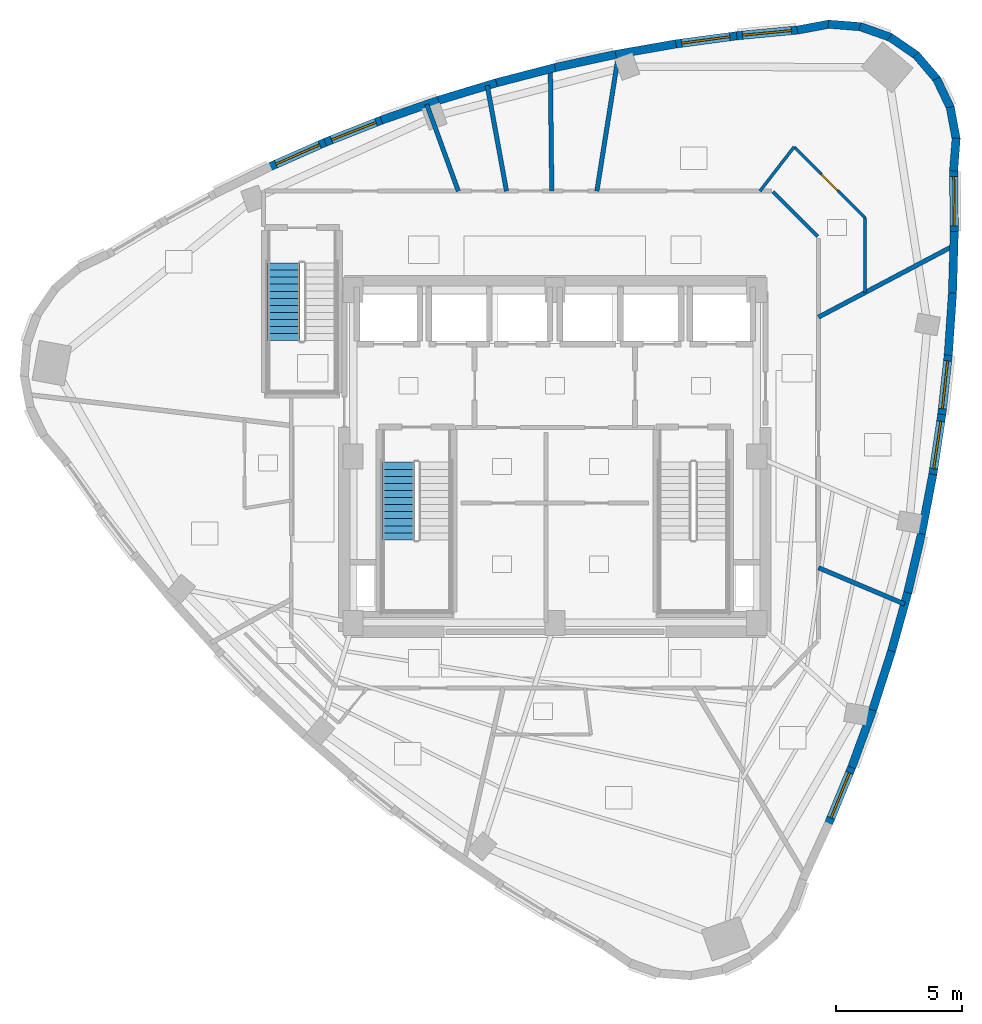
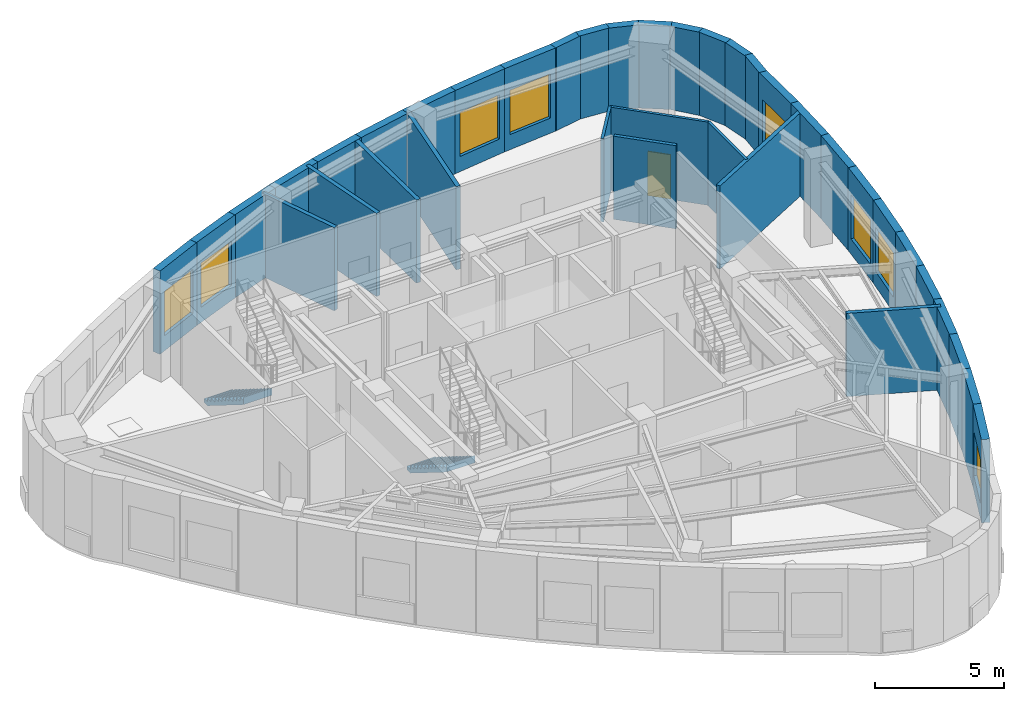
# One storey, part 5 of 9: 38 walls, 8 windows, 2 stair flights, 1 door, 9 openings, 2 elements without a shape of their own.
"""IFC4 building model written with IfcOpenShell, lengths in metres."""

from ifc_helpers import new_model, si_unit, direction, frame, frame_2d, origin, place, context, subcontext, project, spatial, polyline, rectangle, outline, extrude, material, layer, layer_set, type_object, element, fill, aggregate, save


model = new_model("IFC4")

# Units and contexts
model_context = context("Model", 3, precision=1e-05, world=origin(), true_north=direction((0.0, 1.0)))
body_context = subcontext(model_context, "Body", "Model", "MODEL_VIEW")
ifc_project = project(units=[si_unit("LENGTHUNIT", "METRE"), si_unit("AREAUNIT", "SQUARE_METRE"), si_unit("VOLUMEUNIT", "CUBIC_METRE"), si_unit("PLANEANGLEUNIT", "RADIAN"), si_unit("MASSUNIT", "GRAM", prefix="KILO")], contexts=[model_context])

# Site, building, storey
site_placement = place(None, origin())
site = spatial("IfcSite", under=ifc_project, at=site_placement, CompositionType="ELEMENT")
building_placement = place(site_placement, origin())
building = spatial("IfcBuilding", under=site, at=building_placement, Name="Ndelora Gate Hotel", CompositionType="ELEMENT")
storey_placement = place(building_placement, frame((0.0, 0.0, 268.60009765625)))
storey = spatial("IfcBuildingStorey", under=building, at=storey_placement, Name="L67", CompositionType="ELEMENT", Elevation=268.60009765625)

# Walls
ifc_material_1 = material(Name="Acoustic Double-Stud Gypsum Assembly", Category="gypsum")
ifc_layer_1 = layer(ifc_material_1, 0.179931640625)
ifc_layer_set_1 = layer_set([ifc_layer_1], Name="Acoustic Double-Stud Gypsum Assembly")
wall_type_1 = type_object("IfcWallType", Name="WL-ACOUST-180", PredefinedType="PARTITIONING", material=ifc_layer_set_1)
wall_1_placement = place(storey_placement, frame((-3.8291015625, 10.52001953125, 0.0), z_axis=(0.0, 0.0, 1.0), x_axis=(-0.342010906499, 0.939695982664, 0.0)))
element("IfcWall", 1, at=wall_1_placement, inside=storey, type_object=wall_type_1, Name="L67 Interior Wall IW-3", PredefinedType="PARTITIONING", context=body_context, shape_type="SweptSolid", body=[
    extrude(rectangle(XDim=3.6591796875, YDim=0.179931640625, at=frame_2d((1.82958984375, 0.0))), origin(), (0.0, 0.0, 1.0), 3.949951171875),
])
wall_2_placement = place(storey_placement, frame((10.449951171875, -4.4111328125, 0.0), z_axis=(0.0, 0.0, 1.0), x_axis=(0.921276821657, -0.388907466986, 0.0)))
element("IfcWall", 2, at=wall_2_placement, inside=storey, type_object=wall_type_1, Name="L67 Interior Wall IW-3", PredefinedType="PARTITIONING", context=body_context, shape_type="SweptSolid", body=[
    extrude(rectangle(XDim=3.708251953125, YDim=0.179931640625, at=frame_2d((1.85400390625, 0.0))), origin(), (0.0, 0.0, 1.0), 3.949951171875),
])
wall_3_placement = place(storey_placement, frame((10.449951171875, 5.52197265625, 0.0), z_axis=(0.0, 0.0, 1.0), x_axis=(0.884168007164, 0.467169064802, 0.0)))
element("IfcWall", 3, at=wall_3_placement, inside=storey, type_object=wall_type_1, Name="L67 Interior Wall IW-3", PredefinedType="PARTITIONING", context=body_context, shape_type="SweptSolid", body=[
    extrude(rectangle(XDim=6.072998046875, YDim=0.179931640625, at=frame_2d((3.03662109375, 0.0))), origin(), (0.0, 0.0, 1.0), 3.949951171875),
])
wall_4_placement = place(storey_placement, frame((1.664794921875, 10.52001953125, 0.0), z_axis=(0.0, 0.0, 1.0), x_axis=(0.156335854485, 0.987703953927, 0.0)))
element("IfcWall", 4, at=wall_4_placement, inside=storey, type_object=wall_type_1, Name="L67 Interior Wall IW-3", PredefinedType="PARTITIONING", context=body_context, shape_type="SweptSolid", body=[
    extrude(rectangle(XDim=5.5078125, YDim=0.179931640625, at=frame_2d((2.75390625, 0.0))), origin(), (0.0, 0.0, 1.0), 3.949951171875),
])
wall_5_placement = place(storey_placement, frame((-0.123291015625, 10.52001953125, 0.0), z_axis=(0.0, 0.0, 1.0), x_axis=(-0.011724824318, 0.999931261885, 0.0)))
element("IfcWall", 5, at=wall_5_placement, inside=storey, type_object=wall_type_1, Name="L67 Interior Wall IW-3", PredefinedType="PARTITIONING", context=body_context, shape_type="SweptSolid", body=[
    extrude(rectangle(XDim=4.8515625, YDim=0.179931640625, at=frame_2d((2.42578125, 0.0))), origin(), (0.0, 0.0, 1.0), 3.949951171875),
])
wall_6_placement = place(storey_placement, frame((-1.918701171875, 10.52001953125, 0.0), z_axis=(0.0, 0.0, 1.0), x_axis=(-0.179349915037, 0.983785346494, 0.0)))
element("IfcWall", 6, at=wall_6_placement, inside=storey, type_object=wall_type_1, Name="L67 Interior Wall IW-3", PredefinedType="PARTITIONING", context=body_context, shape_type="SweptSolid", body=[
    extrude(rectangle(XDim=4.25537109375, YDim=0.179931640625, at=frame_2d((2.127685546875, 0.0))), origin(), (0.0, 0.0, 1.0), 3.949951171875),
])

# Wall, opening, window
ifc_material_2 = material(Name="Clay Brick Masonry", Category="masonry")
ifc_layer_2 = layer(ifc_material_2, 0.330078125)
ifc_layer_set_2 = layer_set([ifc_layer_2], Name="Clay Brick Masonry")
wall_type_2 = type_object("IfcWallType", Name="WL-BRICK-330", PredefinedType="SOLIDWALL", material=ifc_layer_set_2)
wall_7_placement = place(storey_placement, frame((11.785888671875, -12.28515625, 0.0), z_axis=(0.0, 0.0, 1.0), x_axis=(-0.380073332614, -0.92495635672, 0.0)))
wall_7 = element("IfcWall", 7, at=wall_7_placement, inside=storey, type_object=wall_type_2, Name="L67 Tower Brick Pier-and-Spandrel Wall TWR-30", PredefinedType="SOLIDWALL", context=body_context, shape_type="SweptSolid", body=[
    extrude(rectangle(XDim=2.4873046875, YDim=0.330078125, at=frame_2d((1.24365234375, 0.0))), origin(), (0.0, 0.0, 1.0), 3.949951171875),
])
opening_1_placement = place(wall_7_placement, frame((0.278564453125, 0.0, 0.719970703125)))
opening_1 = element("IfcOpeningElement", 8, at=opening_1_placement, cuts=wall_7, Name="Opening W08", PredefinedType="OPENING", context=body_context, shape_type="SweptSolid", body=[
    extrude(rectangle(XDim=1.929931640625, YDim=2.10009765625, at=frame_2d((0.96484375, 1.050048828125))), frame((0.0, 0.175048828125, 0.0), z_axis=(0.0, -1.0, 0.0), x_axis=(1.0, 0.0, 0.0)), (0.0, 0.0, 1.0), 0.35009765625),
])
ifc_material_3 = material(Name="Insulated Low-E Double Glazing in Bronze Aluminium Frame", Category="aluminium")
window_type = type_object("IfcWindowType", Name="WN-PENT-2250", PartitioningType="SINGLE_PANEL", PredefinedType="WINDOW", material=ifc_material_3)
window_1_placement = place(opening_1_placement, origin())
window_1 = element("IfcWindow", 9, at=window_1_placement, inside=storey, type_object=window_type, Name="L67 Deep-Set Brick-Pier Window W08", OverallHeight=2.10009765625, OverallWidth=1.929931640625, PartitioningType="SINGLE_PANEL", PredefinedType="WINDOW", context=body_context, shape_type="SweptSolid", body=[
    extrude(rectangle(XDim=1.929931640625, YDim=2.10009765625, at=frame_2d((0.96484375, 1.050048828125))), frame((0.0, 0.030029296875, 0.0), z_axis=(0.0, -1.0, 0.0), x_axis=(1.0, 0.0, 0.0)), (0.0, 0.0, 1.0), 0.06005859375),
])
fill(opening_1, window_1)

# Walls
wall_8_placement = place(storey_placement, frame((12.616455078125, -10.010009765625, 0.0), z_axis=(0.0, 0.0, 1.0), x_axis=(-0.343296836241, -0.939226959913, 0.0)))
element("IfcWall", 10, at=wall_8_placement, inside=storey, type_object=wall_type_2, Name="L67 Tower Brick Pier-and-Spandrel Wall TWR-31", PredefinedType="SOLIDWALL", context=body_context, shape_type="SweptSolid", body=[
    extrude(rectangle(XDim=2.471923828125, YDim=0.330078125, at=frame_2d((1.23583984375, 0.0))), origin(), (0.0, 0.0, 1.0), 3.949951171875),
])
wall_9_placement = place(storey_placement, frame((13.3515625, -7.715087890625, 0.0), z_axis=(0.0, 0.0, 1.0), x_axis=(-0.305488679376, -0.952195708231, 0.0)))
element("IfcWall", 11, at=wall_9_placement, inside=storey, type_object=wall_type_2, Name="L67 Tower Brick Pier-and-Spandrel Wall TWR-32", PredefinedType="SOLIDWALL", context=body_context, shape_type="SweptSolid", body=[
    extrude(rectangle(XDim=2.4599609375, YDim=0.330078125, at=frame_2d((1.22998046875, 0.0))), origin(), (0.0, 0.0, 1.0), 3.949951171875),
])
wall_10_placement = place(storey_placement, frame((13.991943359375, -5.39990234375, 0.0), z_axis=(0.0, 0.0, 1.0), x_axis=(-0.266940258734, -0.963713078809, 0.0)))
element("IfcWall", 12, at=wall_10_placement, inside=storey, type_object=wall_type_2, Name="L67 Tower Brick Pier-and-Spandrel Wall TWR-33", PredefinedType="SOLIDWALL", context=body_context, shape_type="SweptSolid", body=[
    extrude(rectangle(XDim=2.451904296875, YDim=0.330078125, at=frame_2d((1.22607421875, 0.0))), origin(), (0.0, 0.0, 1.0), 3.949951171875),
])
wall_11_placement = place(storey_placement, frame((14.536865234375, -3.064453125, 0.0), z_axis=(0.0, 0.0, 1.0), x_axis=(-0.227677260712, -0.97373665072, 0.0)))
element("IfcWall", 13, at=wall_11_placement, inside=storey, type_object=wall_type_2, Name="L67 Tower Brick Pier-and-Spandrel Wall TWR-34", PredefinedType="SOLIDWALL", context=body_context, shape_type="SweptSolid", body=[
    extrude(rectangle(XDim=2.447998046875, YDim=0.330078125, at=frame_2d((1.22412109375, 0.0))), origin(), (0.0, 0.0, 1.0), 3.949951171875),
])
wall_12_placement = place(storey_placement, frame((14.98681640625, -0.708740234375, 0.0), z_axis=(0.0, 0.0, 1.0), x_axis=(-0.187978120827, -0.98217321593, 0.0)))
element("IfcWall", 14, at=wall_12_placement, inside=storey, type_object=wall_type_2, Name="L67 Tower Brick Pier-and-Spandrel Wall TWR-35", PredefinedType="SOLIDWALL", context=body_context, shape_type="SweptSolid", body=[
    extrude(rectangle(XDim=2.4482421875, YDim=0.330078125, at=frame_2d((1.22412109375, 0.0))), origin(), (0.0, 0.0, 1.0), 3.949951171875),
])

# Wall, opening, window
wall_13_placement = place(storey_placement, frame((15.341796875, 1.6669921875, 0.0), z_axis=(0.0, 0.0, 1.0), x_axis=(-0.148150573485, -0.988964816147, 0.0)))
wall_13 = element("IfcWall", 15, at=wall_13_placement, inside=storey, type_object=wall_type_2, Name="L67 Tower Brick Pier-and-Spandrel Wall TWR-36", PredefinedType="SOLIDWALL", context=body_context, shape_type="SweptSolid", body=[
    extrude(rectangle(XDim=2.4521484375, YDim=0.330078125, at=frame_2d((1.22607421875, 0.0))), origin(), (0.0, 0.0, 1.0), 3.949951171875),
])
opening_2_placement = place(wall_13_placement, frame((0.281005859375, 0.0, 0.719970703125)))
opening_2 = element("IfcOpeningElement", 16, at=opening_2_placement, cuts=wall_13, Name="Opening W08", PredefinedType="OPENING", context=body_context, shape_type="SweptSolid", body=[
    extrude(rectangle(XDim=1.889892578125, YDim=2.10009765625, at=frame_2d((0.94482421875, 1.050048828125))), frame((0.0, 0.175048828125, 0.0), z_axis=(0.0, -1.0, 0.0), x_axis=(1.0, 0.0, 0.0)), (0.0, 0.0, 1.0), 0.35009765625),
])
window_2_placement = place(opening_2_placement, origin())
window_2 = element("IfcWindow", 17, at=window_2_placement, inside=storey, type_object=window_type, Name="L67 Deep-Set Brick-Pier Window W08", OverallHeight=2.10009765625, OverallWidth=1.889892578125, PartitioningType="SINGLE_PANEL", PredefinedType="WINDOW", context=body_context, shape_type="SweptSolid", body=[
    extrude(rectangle(XDim=1.889892578125, YDim=2.10009765625, at=frame_2d((0.94482421875, 1.050048828125))), frame((0.0, 0.030029296875, 0.0), z_axis=(0.0, -1.0, 0.0), x_axis=(1.0, 0.0, 0.0)), (0.0, 0.0, 1.0), 0.06005859375),
])
fill(opening_2, window_2)

wall_14_placement = place(storey_placement, frame((15.6015625, 4.06298828125, 0.0), z_axis=(0.0, 0.0, 1.0), x_axis=(-0.108274537778, -0.994121031097, 0.0)))
wall_14 = element("IfcWall", 18, at=wall_14_placement, inside=storey, type_object=wall_type_2, Name="L67 Tower Brick Pier-and-Spandrel Wall TWR-37", PredefinedType="SOLIDWALL", context=body_context, shape_type="SweptSolid", body=[
    extrude(rectangle(XDim=2.4599609375, YDim=0.330078125, at=frame_2d((1.22998046875, 0.0))), origin(), (0.0, 0.0, 1.0), 3.949951171875),
])
opening_3_placement = place(wall_14_placement, frame((0.280029296875, 0.0, 0.719970703125)))
opening_3 = element("IfcOpeningElement", 19, at=opening_3_placement, cuts=wall_14, Name="Opening W08", PredefinedType="OPENING", context=body_context, shape_type="SweptSolid", body=[
    extrude(rectangle(XDim=1.89990234375, YDim=2.10009765625, at=frame_2d((0.949951171875, 1.050048828125))), frame((0.0, 0.175048828125, 0.0), z_axis=(0.0, -1.0, 0.0), x_axis=(1.0, 0.0, 0.0)), (0.0, 0.0, 1.0), 0.35009765625),
])
window_3_placement = place(opening_3_placement, origin())
window_3 = element("IfcWindow", 20, at=window_3_placement, inside=storey, type_object=window_type, Name="L67 Deep-Set Brick-Pier Window W08", OverallHeight=2.10009765625, OverallWidth=1.89990234375, PartitioningType="SINGLE_PANEL", PredefinedType="WINDOW", context=body_context, shape_type="SweptSolid", body=[
    extrude(rectangle(XDim=1.89990234375, YDim=2.10009765625, at=frame_2d((0.949951171875, 1.050048828125))), frame((0.0, 0.030029296875, 0.0), z_axis=(0.0, -1.0, 0.0), x_axis=(1.0, 0.0, 0.0)), (0.0, 0.0, 1.0), 0.06005859375),
])
fill(opening_3, window_3)

# Walls
wall_15_placement = place(storey_placement, frame((15.76611328125, 6.47900390625, 0.0), z_axis=(0.0, 0.0, 1.0), x_axis=(-0.068354601344, -0.997661088985, 0.0)))
element("IfcWall", 21, at=wall_15_placement, inside=storey, type_object=wall_type_2, Name="L67 Tower Brick Pier-and-Spandrel Wall TWR-38", PredefinedType="SOLIDWALL", context=body_context, shape_type="SweptSolid", body=[
    extrude(rectangle(XDim=2.4716796875, YDim=0.330078125, at=frame_2d((1.23583984375, 0.0))), origin(), (0.0, 0.0, 1.0), 3.949951171875),
])
wall_16_placement = place(storey_placement, frame((15.835693359375, 8.91552734375, 0.0), z_axis=(0.0, 0.0, 1.0), x_axis=(-0.028856791584, -0.999583556077, 0.0)))
element("IfcWall", 22, at=wall_16_placement, inside=storey, type_object=wall_type_2, Name="L67 Tower Brick Pier-and-Spandrel Wall TWR-39", PredefinedType="SOLIDWALL", context=body_context, shape_type="SweptSolid", body=[
    extrude(rectangle(XDim=2.4873046875, YDim=0.330078125, at=frame_2d((1.24365234375, 0.0))), origin(), (0.0, 0.0, 1.0), 3.949951171875),
])

# Wall, opening, window
wall_17_placement = place(storey_placement, frame((15.810302734375, 11.371826171875, 0.0), z_axis=(0.0, 0.0, 1.0), x_axis=(0.009935219729, -0.999950644486, 0.0)))
wall_17 = element("IfcWall", 23, at=wall_17_placement, inside=storey, type_object=wall_type_2, Name="L67 Tower Brick Pier-and-Spandrel Wall TWR-40", PredefinedType="SOLIDWALL", context=body_context, shape_type="SweptSolid", body=[
    extrude(rectangle(XDim=2.506591796875, YDim=0.330078125, at=frame_2d((1.25341796875, 0.0))), origin(), (0.0, 0.0, 1.0), 3.949951171875),
])
opening_4_placement = place(wall_17_placement, frame((0.2783203125, 0.0, 0.719970703125)))
opening_4 = element("IfcOpeningElement", 24, at=opening_4_placement, cuts=wall_17, Name="Opening W08", PredefinedType="OPENING", context=body_context, shape_type="SweptSolid", body=[
    extrude(rectangle(XDim=1.949951171875, YDim=2.10009765625, at=frame_2d((0.97509765625, 1.050048828125))), frame((0.0, 0.175048828125, 0.0), z_axis=(0.0, -1.0, 0.0), x_axis=(1.0, 0.0, 0.0)), (0.0, 0.0, 1.0), 0.35009765625),
])
window_4_placement = place(opening_4_placement, origin())
window_4 = element("IfcWindow", 25, at=window_4_placement, inside=storey, type_object=window_type, Name="L67 Deep-Set Brick-Pier Window W08", OverallHeight=2.10009765625, OverallWidth=1.949951171875, PartitioningType="SINGLE_PANEL", PredefinedType="WINDOW", context=body_context, shape_type="SweptSolid", body=[
    extrude(rectangle(XDim=1.949951171875, YDim=2.10009765625, at=frame_2d((0.97509765625, 1.050048828125))), frame((0.0, 0.030029296875, 0.0), z_axis=(0.0, -1.0, 0.0), x_axis=(1.0, 0.0, 0.0)), (0.0, 0.0, 1.0), 0.06005859375),
])
fill(opening_4, window_4)

# Walls
for number, where, z_axis, x_axis, name in (
    (26, (15.910888671875, 12.62109375, 0.0), (0.0, 0.0, 1.0), (-0.078501590144, -0.996913988439, 0.0), "L67 Tower Brick Pier-and-Spandrel Wall TWR-41"),
    (27, (15.67578125, 13.852783203125, 0.0), (0.0, 0.0, 1.0), (0.182297236005, -0.983243468193, 0.0), "L67 Tower Brick Pier-and-Spandrel Wall TWR-42"),
    (28, (15.130126953125, 14.981689453125, 0.0), (0.0, 0.0, 1.0), (0.430726118159, -0.902482692984, 0.0), "L67 Tower Brick Pier-and-Spandrel Wall TWR-43"),
    (29, (14.31103515625, 15.930908203125, 0.0), (0.0, 0.0, 1.0), (0.649463279453, -0.760392956728, 0.0), "L67 Tower Brick Pier-and-Spandrel Wall TWR-44"),
):
    element("IfcWall", number, at=place(storey_placement, frame(where, z_axis=z_axis, x_axis=x_axis)), inside=storey, type_object=wall_type_2, Name=name, PredefinedType="SOLIDWALL", context=body_context, shape_type="SweptSolid", body=[
        extrude(rectangle(XDim=1.302978515625, YDim=0.330078125, at=frame_2d((0.6513671875, 0.0))), origin(), (0.0, 0.0, 1.0), 3.949951171875),
    ])
wall_18_placement = place(storey_placement, frame((13.27392578125, 16.635986328125, 0.0), z_axis=(0.0, 0.0, 1.0), x_axis=(0.824069252703, -0.566489070283, 0.0)))
element("IfcWall", 30, at=wall_18_placement, inside=storey, type_object=wall_type_2, Name="L67 Tower Brick Pier-and-Spandrel Wall TWR-45", PredefinedType="SOLIDWALL", context=body_context, shape_type="SweptSolid", body=[
    extrude(rectangle(XDim=1.30322265625, YDim=0.330078125, at=frame_2d((0.651611328125, 0.0))), origin(), (0.0, 0.0, 1.0), 3.949951171875),
])
wall_19_placement = place(storey_placement, frame((12.08984375, 17.04833984375, 0.0), z_axis=(0.0, 0.0, 1.0), x_axis=(0.942616169371, -0.333878356951, 0.0)))
element("IfcWall", 31, at=wall_19_placement, inside=storey, type_object=wall_type_2, Name="L67 Tower Brick Pier-and-Spandrel Wall TWR-46", PredefinedType="SOLIDWALL", context=body_context, shape_type="SweptSolid", body=[
    extrude(rectangle(XDim=1.302978515625, YDim=0.330078125, at=frame_2d((0.6513671875, 0.0))), origin(), (0.0, 0.0, 1.0), 3.949951171875),
])
wall_20_placement = place(storey_placement, frame((10.83935546875, 17.140380859375, 0.0), z_axis=(0.0, 0.0, 1.0), x_axis=(0.996912833542, -0.078516255123, 0.0)))
element("IfcWall", 32, at=wall_20_placement, inside=storey, type_object=wall_type_2, Name="L67 Tower Brick Pier-and-Spandrel Wall TWR-47", PredefinedType="SOLIDWALL", context=body_context, shape_type="SweptSolid", body=[
    extrude(rectangle(XDim=1.302734375, YDim=0.330078125, at=frame_2d((0.6513671875, 0.0))), origin(), (0.0, 0.0, 1.0), 3.949951171875),
])
wall_21_placement = place(storey_placement, frame((9.607421875, 16.905517578125, 0.0), z_axis=(0.0, 0.0, 1.0), x_axis=(0.983283247188, 0.182082552156, 0.0)))
element("IfcWall", 33, at=wall_21_placement, inside=storey, type_object=wall_type_2, Name="L67 Tower Brick Pier-and-Spandrel Wall TWR-48", PredefinedType="SOLIDWALL", context=body_context, shape_type="SweptSolid", body=[
    extrude(rectangle(XDim=1.30322265625, YDim=0.330078125, at=frame_2d((0.651611328125, 0.0))), origin(), (0.0, 0.0, 1.0), 3.949951171875),
])

# Wall, opening, window
wall_22_placement = place(storey_placement, frame((7.16162109375, 16.67529296875, 0.0), z_axis=(0.0, 0.0, 1.0), x_axis=(0.995517770217, 0.094574675167, 0.0)))
wall_22 = element("IfcWall", 34, at=wall_22_placement, inside=storey, type_object=wall_type_2, Name="L67 Tower Brick Pier-and-Spandrel Wall TWR-49", PredefinedType="SOLIDWALL", context=body_context, shape_type="SweptSolid", body=[
    extrude(rectangle(XDim=2.506591796875, YDim=0.330078125, at=frame_2d((1.25341796875, 0.0))), origin(), (0.0, 0.0, 1.0), 3.949951171875),
])
opening_5_placement = place(wall_22_placement, frame((0.2783203125, 0.0, 0.719970703125)))
opening_5 = element("IfcOpeningElement", 35, at=opening_5_placement, cuts=wall_22, Name="Opening W08", PredefinedType="OPENING", context=body_context, shape_type="SweptSolid", body=[
    extrude(rectangle(XDim=1.949951171875, YDim=2.10009765625, at=frame_2d((0.97509765625, 1.050048828125))), frame((0.0, 0.175048828125, 0.0), z_axis=(0.0, -1.0, 0.0), x_axis=(1.0, 0.0, 0.0)), (0.0, 0.0, 1.0), 0.35009765625),
])
window_5_placement = place(opening_5_placement, origin())
window_5 = element("IfcWindow", 36, at=window_5_placement, inside=storey, type_object=window_type, Name="L67 Deep-Set Brick-Pier Window W08", OverallHeight=2.10009765625, OverallWidth=1.949951171875, PartitioningType="SINGLE_PANEL", PredefinedType="WINDOW", context=body_context, shape_type="SweptSolid", body=[
    extrude(rectangle(XDim=1.949951171875, YDim=2.10009765625, at=frame_2d((0.97509765625, 1.050048828125))), frame((0.0, 0.030029296875, 0.0), z_axis=(0.0, -1.0, 0.0), x_axis=(1.0, 0.0, 0.0)), (0.0, 0.0, 1.0), 0.06005859375),
])
fill(opening_5, window_5)

wall_23_placement = place(storey_placement, frame((4.74609375, 16.349609375, 0.0), z_axis=(0.0, 0.0, 1.0), x_axis=(0.991089340553, 0.1331987952, 0.0)))
wall_23 = element("IfcWall", 37, at=wall_23_placement, inside=storey, type_object=wall_type_2, Name="L67 Tower Brick Pier-and-Spandrel Wall TWR-50", PredefinedType="SOLIDWALL", context=body_context, shape_type="SweptSolid", body=[
    extrude(rectangle(XDim=2.4873046875, YDim=0.330078125, at=frame_2d((1.24365234375, 0.0))), origin(), (0.0, 0.0, 1.0), 3.949951171875),
])
opening_6_placement = place(wall_23_placement, frame((0.278564453125, 0.0, 0.719970703125)))
opening_6 = element("IfcOpeningElement", 38, at=opening_6_placement, cuts=wall_23, Name="Opening W08", PredefinedType="OPENING", context=body_context, shape_type="SweptSolid", body=[
    extrude(rectangle(XDim=1.929931640625, YDim=2.10009765625, at=frame_2d((0.96484375, 1.050048828125))), frame((0.0, 0.175048828125, 0.0), z_axis=(0.0, -1.0, 0.0), x_axis=(1.0, 0.0, 0.0)), (0.0, 0.0, 1.0), 0.35009765625),
])
window_6_placement = place(opening_6_placement, origin())
window_6 = element("IfcWindow", 39, at=window_6_placement, inside=storey, type_object=window_type, Name="L67 Deep-Set Brick-Pier Window W08", OverallHeight=2.10009765625, OverallWidth=1.929931640625, PartitioningType="SINGLE_PANEL", PredefinedType="WINDOW", context=body_context, shape_type="SweptSolid", body=[
    extrude(rectangle(XDim=1.929931640625, YDim=2.10009765625, at=frame_2d((0.96484375, 1.050048828125))), frame((0.0, 0.030029296875, 0.0), z_axis=(0.0, -1.0, 0.0), x_axis=(1.0, 0.0, 0.0)), (0.0, 0.0, 1.0), 0.06005859375),
])
fill(opening_6, window_6)

# Walls
wall_24_placement = place(storey_placement, frame((2.36083984375, 15.93115234375, 0.0), z_axis=(0.0, 0.0, 1.0), x_axis=(0.985035078874, 0.172353977001, 0.0)))
element("IfcWall", 40, at=wall_24_placement, inside=storey, type_object=wall_type_2, Name="L67 Tower Brick Pier-and-Spandrel Wall TWR-51", PredefinedType="SOLIDWALL", context=body_context, shape_type="SweptSolid", body=[
    extrude(rectangle(XDim=2.471923828125, YDim=0.330078125, at=frame_2d((1.23583984375, 0.0))), origin(), (0.0, 0.0, 1.0), 3.949951171875),
])
wall_25_placement = place(storey_placement, frame((0.005615234375, 15.42041015625, 0.0), z_axis=(0.0, 0.0, 1.0), x_axis=(0.977358726748, 0.211589033857, 0.0)))
element("IfcWall", 41, at=wall_25_placement, inside=storey, type_object=wall_type_2, Name="L67 Tower Brick Pier-and-Spandrel Wall TWR-52", PredefinedType="SOLIDWALL", context=body_context, shape_type="SweptSolid", body=[
    extrude(rectangle(XDim=2.4599609375, YDim=0.330078125, at=frame_2d((1.22998046875, 0.0))), origin(), (0.0, 0.0, 1.0), 3.949951171875),
])
wall_26_placement = place(storey_placement, frame((-2.319580078125, 14.817138671875, 0.0), z_axis=(0.0, 0.0, 1.0), x_axis=(0.968064050208, 0.250703000969, 0.0)))
element("IfcWall", 42, at=wall_26_placement, inside=storey, type_object=wall_type_2, Name="L67 Tower Brick Pier-and-Spandrel Wall TWR-53", PredefinedType="SOLIDWALL", context=body_context, shape_type="SweptSolid", body=[
    extrude(rectangle(XDim=2.4521484375, YDim=0.330078125, at=frame_2d((1.22607421875, 0.0))), origin(), (0.0, 0.0, 1.0), 3.949951171875),
])
for number, where, z_axis, x_axis, name in (
    (43, (-4.614501953125, 14.12158203125, 0.0), (0.0, 0.0, 1.0), (0.957140082528, 0.289625382897, 0.0), "L67 Tower Brick Pier-and-Spandrel Wall TWR-54"),
    (44, (-6.879638671875, 13.33349609375, 0.0), (0.0, 0.0, 1.0), (0.944608408798, 0.328199564332, 0.0), "L67 Tower Brick Pier-and-Spandrel Wall TWR-55"),
):
    element("IfcWall", number, at=place(storey_placement, frame(where, z_axis=z_axis, x_axis=x_axis)), inside=storey, type_object=wall_type_2, Name=name, PredefinedType="SOLIDWALL", context=body_context, shape_type="SweptSolid", body=[
        extrude(rectangle(XDim=2.447998046875, YDim=0.330078125, at=frame_2d((1.22412109375, 0.0))), origin(), (0.0, 0.0, 1.0), 3.949951171875),
    ])

# Wall, opening, window
wall_27_placement = place(storey_placement, frame((-9.114501953125, 12.452880859375, 0.0), z_axis=(0.0, 0.0, 1.0), x_axis=(0.930535919143, 0.366200632421, 0.0)))
wall_27 = element("IfcWall", 45, at=wall_27_placement, inside=storey, type_object=wall_type_2, Name="L67 Tower Brick Pier-and-Spandrel Wall TWR-56", PredefinedType="SOLIDWALL", context=body_context, shape_type="SweptSolid", body=[
    extrude(rectangle(XDim=2.4521484375, YDim=0.330078125, at=frame_2d((1.22607421875, 0.0))), origin(), (0.0, 0.0, 1.0), 3.949951171875),
])
opening_7_placement = place(wall_27_placement, frame((0.281005859375, 0.0, 0.719970703125)))
opening_7 = element("IfcOpeningElement", 46, at=opening_7_placement, cuts=wall_27, Name="Opening W08", PredefinedType="OPENING", context=body_context, shape_type="SweptSolid", body=[
    extrude(rectangle(XDim=1.889892578125, YDim=2.10009765625, at=frame_2d((0.94482421875, 1.050048828125))), frame((0.0, 0.175048828125, 0.0), z_axis=(0.0, -1.0, 0.0), x_axis=(1.0, 0.0, 0.0)), (0.0, 0.0, 1.0), 0.35009765625),
])
window_7_placement = place(opening_7_placement, origin())
window_7 = element("IfcWindow", 47, at=window_7_placement, inside=storey, type_object=window_type, Name="L67 Deep-Set Brick-Pier Window W08", OverallHeight=2.10009765625, OverallWidth=1.889892578125, PartitioningType="SINGLE_PANEL", PredefinedType="WINDOW", context=body_context, shape_type="SweptSolid", body=[
    extrude(rectangle(XDim=1.889892578125, YDim=2.10009765625, at=frame_2d((0.94482421875, 1.050048828125))), frame((0.0, 0.030029296875, 0.0), z_axis=(0.0, -1.0, 0.0), x_axis=(1.0, 0.0, 0.0)), (0.0, 0.0, 1.0), 0.06005859375),
])
fill(opening_7, window_7)

wall_28_placement = place(storey_placement, frame((-11.3193359375, 11.479736328125, 0.0), z_axis=(0.0, 0.0, 1.0), x_axis=(0.915014789788, 0.403420295064, 0.0)))
wall_28 = element("IfcWall", 48, at=wall_28_placement, inside=storey, type_object=wall_type_2, Name="L67 Tower Brick Pier-and-Spandrel Wall TWR-57", PredefinedType="SOLIDWALL", context=body_context, shape_type="SweptSolid", body=[
    extrude(rectangle(XDim=2.4599609375, YDim=0.330078125, at=frame_2d((1.22998046875, 0.0))), origin(), (0.0, 0.0, 1.0), 3.949951171875),
])
opening_8_placement = place(wall_28_placement, frame((0.280029296875, 0.0, 0.719970703125)))
opening_8 = element("IfcOpeningElement", 49, at=opening_8_placement, cuts=wall_28, Name="Opening W08", PredefinedType="OPENING", context=body_context, shape_type="SweptSolid", body=[
    extrude(rectangle(XDim=1.89990234375, YDim=2.10009765625, at=frame_2d((0.949951171875, 1.050048828125))), frame((0.0, 0.175048828125, 0.0), z_axis=(0.0, -1.0, 0.0), x_axis=(1.0, 0.0, 0.0)), (0.0, 0.0, 1.0), 0.35009765625),
])
window_8_placement = place(opening_8_placement, origin())
window_8 = element("IfcWindow", 50, at=window_8_placement, inside=storey, type_object=window_type, Name="L67 Deep-Set Brick-Pier Window W08", OverallHeight=2.10009765625, OverallWidth=1.89990234375, PartitioningType="SINGLE_PANEL", PredefinedType="WINDOW", context=body_context, shape_type="SweptSolid", body=[
    extrude(rectangle(XDim=1.89990234375, YDim=2.10009765625, at=frame_2d((0.949951171875, 1.050048828125))), frame((0.0, 0.030029296875, 0.0), z_axis=(0.0, -1.0, 0.0), x_axis=(1.0, 0.0, 0.0)), (0.0, 0.0, 1.0), 0.06005859375),
])
fill(opening_8, window_8)

# Walls
ifc_material_4 = material(Name="Fire-Rated Gypsum Stud Partition", Category="gypsum")
ifc_layer_3 = layer(ifc_material_4, 0.14990234375)
ifc_layer_set_3 = layer_set([ifc_layer_3], Name="Fire-Rated Gypsum Stud Partition")
wall_type_3 = type_object("IfcWallType", Name="WL-PART-150", PredefinedType="PARTITIONING", material=ifc_layer_set_3)
wall_29_placement = place(storey_placement, frame((8.648193359375, 10.49169921875, 0.0), z_axis=(0.0, 0.0, 1.0), x_axis=(0.707106781187, -0.707106781187, 0.0)))
element("IfcWall", 51, at=wall_29_placement, inside=storey, type_object=wall_type_3, Name="L67 Interior Wall IW-5", PredefinedType="PARTITIONING", context=body_context, shape_type="SweptSolid", body=[
    extrude(rectangle(XDim=2.508056640625, YDim=0.14990234375, at=frame_2d((1.25390625, 0.0))), origin(), (0.0, 0.0, 1.0), 3.949951171875),
])
ifc_material_5 = material(Name="Moisture-Resistant Bathroom Tile Partition", Category="gypsum")
ifc_layer_4 = layer(ifc_material_5, 0.1201171875)
ifc_layer_set_4 = layer_set([ifc_layer_4], Name="Moisture-Resistant Bathroom Tile Partition")
wall_type_4 = type_object("IfcWallType", Name="WL-WET-120", PredefinedType="PARTITIONING", material=ifc_layer_set_4)
wall_30_placement = place(storey_placement, frame((8.1298828125, 10.52001953125, 0.0), z_axis=(0.0, 0.0, 1.0), x_axis=(0.611456914518, 0.79127772728, 0.0)))
element("IfcWall", 52, at=wall_30_placement, inside=storey, type_object=wall_type_4, Name="L67 Interior Wall IW-7", PredefinedType="PARTITIONING", context=body_context, shape_type="SweptSolid", body=[
    extrude(rectangle(XDim=2.21435546875, YDim=0.1201171875, at=frame_2d((1.107177734375, 0.0))), origin(), (0.0, 0.0, 1.0), 3.949951171875),
])

# Wall, opening, door
wall_31_placement = place(storey_placement, frame((9.48388671875, 12.272216796875, 0.0), z_axis=(0.0, 0.0, 1.0), x_axis=(0.70713743234, -0.707076128705, 0.0)))
wall_31 = element("IfcWall", 53, at=wall_31_placement, inside=storey, type_object=wall_type_4, Name="L67 Interior Wall IW-7", PredefinedType="PARTITIONING", context=body_context, shape_type="SweptSolid", body=[
    extrude(rectangle(XDim=3.982421875, YDim=0.1201171875, at=frame_2d((1.9912109375, 0.0))), origin(), (0.0, 0.0, 1.0), 3.949951171875),
])
opening_9_placement = place(wall_31_placement, frame((1.53125, 0.0, 0.0)))
opening_9 = element("IfcOpeningElement", 54, at=opening_9_placement, cuts=wall_31, Name="Opening D03", PredefinedType="OPENING", context=body_context, shape_type="SweptSolid", body=[
    extrude(rectangle(XDim=0.919921875, YDim=2.10009765625, at=frame_2d((0.4599609375, 1.050048828125))), frame((0.0, 0.070068359375, 0.0), z_axis=(0.0, -1.0, 0.0), x_axis=(1.0, 0.0, 0.0)), (0.0, 0.0, 1.0), 0.14013671875),
])
ifc_material_6 = material(Name="Moisture-Resistant Hardwood En-Suite Door", Category="wood")
door_type = type_object("IfcDoorType", Name="DR-BATH-920", OperationType="SINGLE_SWING_LEFT", PredefinedType="DOOR", material=ifc_material_6)
door_placement = place(opening_9_placement, origin())
door = element("IfcDoor", 55, at=door_placement, inside=storey, type_object=door_type, Name="L67 En-suite Bathroom 7004 Door", OperationType="SINGLE_SWING_LEFT", OverallHeight=2.10009765625, OverallWidth=0.919921875, PredefinedType="DOOR", context=body_context, shape_type="SweptSolid", body=[
    extrude(rectangle(XDim=0.919921875, YDim=2.10009765625, at=frame_2d((0.4599609375, 1.050048828125))), frame((0.0, 0.02490234375, 0.0), z_axis=(0.0, -1.0, 0.0), x_axis=(1.0, 0.0, 0.0)), (0.0, 0.0, 1.0), 0.050048828125),
])
fill(opening_9, door)

# Wall
wall_32_placement = place(storey_placement, frame((12.300048828125, 6.49951171875, 0.0), z_axis=(0.0, 0.0, 1.0), x_axis=(0.0, 1.0, 0.0)))
element("IfcWall", 56, at=wall_32_placement, inside=storey, type_object=wall_type_4, Name="L67 Interior Wall IW-7", PredefinedType="PARTITIONING", context=body_context, shape_type="SweptSolid", body=[
    extrude(rectangle(XDim=2.956787109375, YDim=0.1201171875, at=frame_2d((1.478515625, 0.0))), origin(), (0.0, 0.0, 1.0), 3.949951171875),
])

# Stair, stair flight
ifc_material_7 = material(Name="Precast concrete C40/50", Category="concrete")
stair_type = type_object("IfcStairType", Name="STR-DOG-CORE", PredefinedType="HALF_TURN_STAIR", material=ifc_material_7)
stair_1_placement = place(storey_placement, origin())
stair_1 = element("IfcStair", 57, at=stair_1_placement, inside=storey, type_object=stair_type, Name="L67 Protected Core Exit Stair ST4", PredefinedType="HALF_TURN_STAIR")
stair_flight_type = type_object("IfcStairFlightType", Name="STF-PRECAST", PredefinedType="STRAIGHT", material=ifc_material_7)
stair_flight_1_placement = place(storey_placement, frame((-6.2099609375, -0.22998046875, 0.0), z_axis=(0.0, 0.0, 1.0), x_axis=(0.0, -1.0, 0.0)))
stair_flight_1 = element("IfcStairFlight", 58, at=stair_flight_1_placement, type_object=stair_flight_type, Name="ST4 flight 1", NumberOfRisers=12, NumberOfTreads=11, PredefinedType="STRAIGHT", RiserHeight=0.175, TreadLength=0.28, context=body_context, shape_type="SweptSolid", body=[
    extrude(outline(polyline([(-0.00048828125, 0.0), (-0.00048828125, 0.175048828125), (0.0, 0.175048828125), (0.280029296875, 0.175048828125), (0.280029296875, 0.35009765625), (0.56005859375, 0.35009765625), (0.56005859375, 0.52490234375), (0.840087890625, 0.52490234375), (0.840087890625, 0.699951171875), (1.1201171875, 0.699951171875), (1.1201171875, 0.875), (1.39990234375, 0.875), (1.39990234375, 1.050048828125), (1.679931640625, 1.050048828125), (1.679931640625, 1.22509765625), (1.9599609375, 1.22509765625), (1.9599609375, 1.39990234375), (2.239990234375, 1.39990234375), (2.239990234375, 1.574951171875), (2.52001953125, 1.574951171875), (2.52001953125, 1.75), (2.800048828125, 1.75), (2.800048828125, 1.925048828125), (3.080078125, 1.925048828125), (3.080078125, 2.10009765625), (3.08056640625, 2.10009765625), (3.08056640625, 1.919921875), (3.080078125, 1.748291015625), (0.28271484375, 0.0), (-0.00048828125, 0.0)])), frame((0.0, 0.64013671875, 0.0), z_axis=(0.0, -1.0, 0.0), x_axis=(1.0, 0.0, 0.0)), (0.0, 0.0, 1.0), 1.280029296875),
])
aggregate(stair_1, [stair_flight_1])

stair_2_placement = place(storey_placement, origin())
stair_2 = element("IfcStair", 59, at=stair_2_placement, inside=storey, type_object=stair_type, Name="L67 Crown Observation Exit Stair ST6", PredefinedType="HALF_TURN_STAIR")
stair_flight_2_placement = place(storey_placement, frame((-10.75, 7.669921875, 0.0), z_axis=(0.0, 0.0, 1.0), x_axis=(0.0, -1.0, 0.0)))
stair_flight_2 = element("IfcStairFlight", 60, at=stair_flight_2_placement, type_object=stair_flight_type, Name="ST6 flight 1", NumberOfRisers=12, NumberOfTreads=11, PredefinedType="STRAIGHT", RiserHeight=0.175, TreadLength=0.28, context=body_context, shape_type="SweptSolid", body=[
    extrude(outline(polyline([(-0.00048828125, 0.0), (-0.00048828125, 0.175048828125), (0.0, 0.175048828125), (0.280029296875, 0.175048828125), (0.280029296875, 0.35009765625), (0.56005859375, 0.35009765625), (0.56005859375, 0.52490234375), (0.840087890625, 0.52490234375), (0.840087890625, 0.699951171875), (1.1201171875, 0.699951171875), (1.1201171875, 0.875), (1.39990234375, 0.875), (1.39990234375, 1.050048828125), (1.679931640625, 1.050048828125), (1.679931640625, 1.22509765625), (1.9599609375, 1.22509765625), (1.9599609375, 1.39990234375), (2.239990234375, 1.39990234375), (2.239990234375, 1.574951171875), (2.52001953125, 1.574951171875), (2.52001953125, 1.75), (2.800048828125, 1.75), (2.800048828125, 1.925048828125), (3.080078125, 1.925048828125), (3.080078125, 2.10009765625), (3.08056640625, 2.10009765625), (3.08056640625, 1.919921875), (3.080078125, 1.748291015625), (0.28271484375, 0.0), (-0.00048828125, 0.0)])), frame((0.0, 0.64013671875, 0.0), z_axis=(0.0, -1.0, 0.0), x_axis=(1.0, 0.0, 0.0)), (0.0, 0.0, 1.0), 1.280029296875),
])
aggregate(stair_2, [stair_flight_2])

save(model, "model.ifc")
